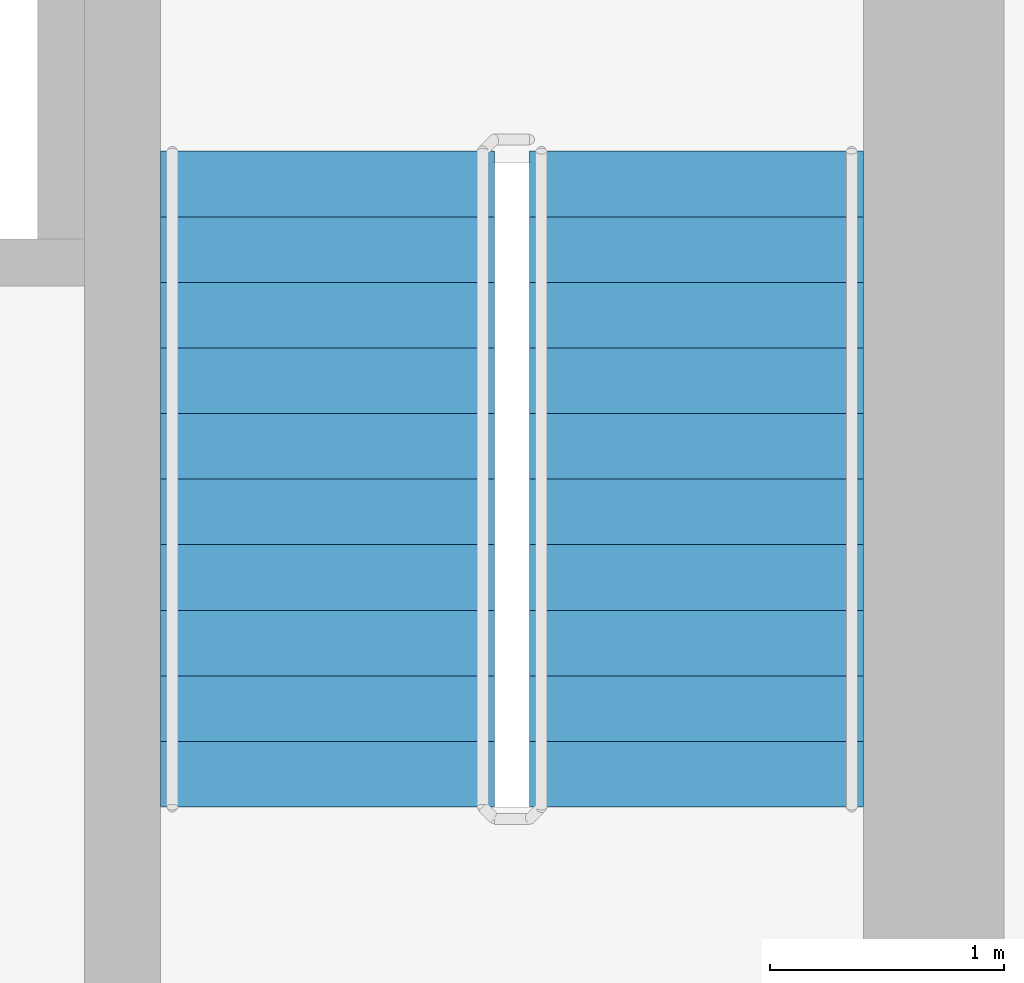
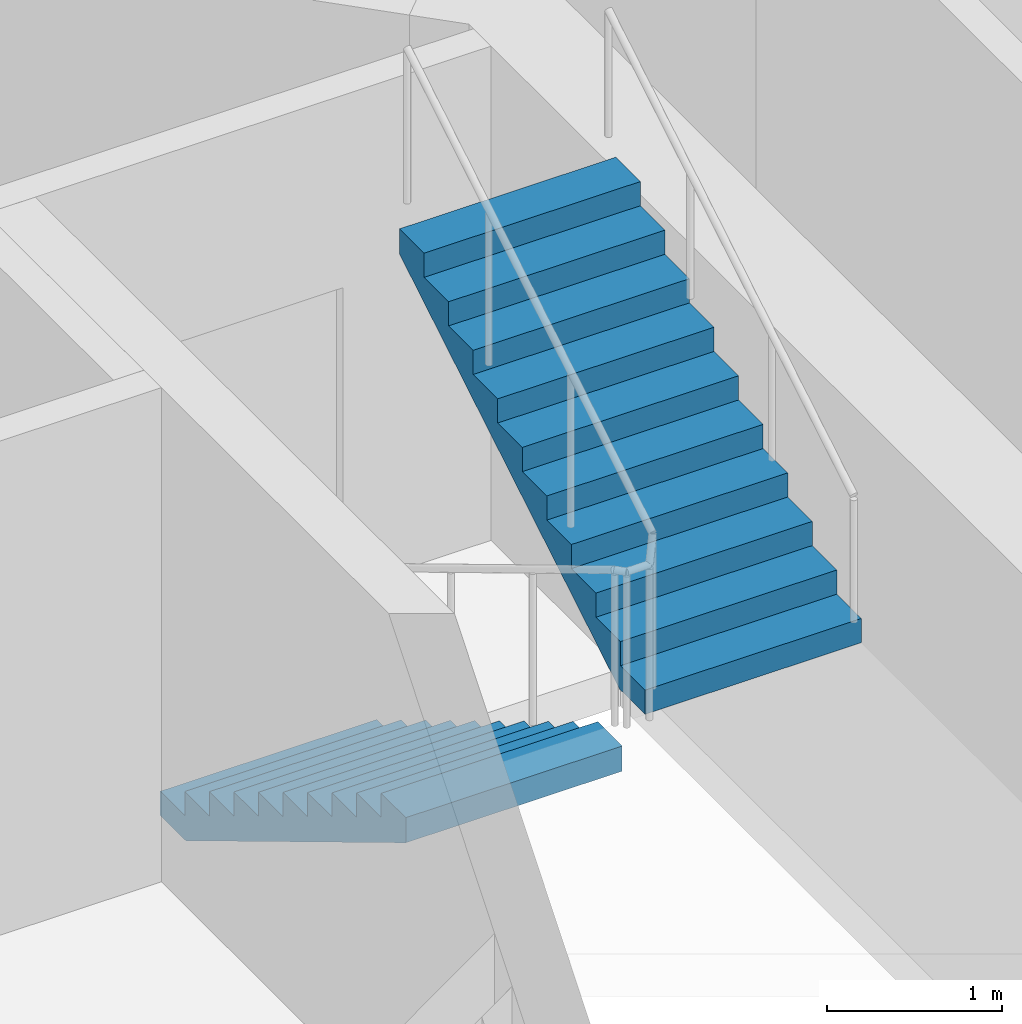
# One storey, part 20 of 23: 2 stair flights, 1 element without a shape of its own.
"""IFC4 building model written with IfcOpenShell, lengths in metres."""

from ifc_helpers import new_model, si_unit, direction, frame, origin, place, context, subcontext, project, spatial, polyline, outline, extrude, material, type_object, element, aggregate, save


model = new_model("IFC4")

# Units and contexts
model_context = context("Model", 3, precision=1e-05, world=origin(), true_north=direction((0.0, 1.0)))
body_context = subcontext(model_context, "Body", "Model", "MODEL_VIEW")
ifc_project = project(units=[si_unit("LENGTHUNIT", "METRE"), si_unit("AREAUNIT", "SQUARE_METRE"), si_unit("VOLUMEUNIT", "CUBIC_METRE"), si_unit("PLANEANGLEUNIT", "RADIAN"), si_unit("MASSUNIT", "GRAM", prefix="KILO")], contexts=[model_context])

# Site, building, storey
site_placement = place(None, origin())
site = spatial("IfcSite", under=ifc_project, at=site_placement, CompositionType="ELEMENT")
building_placement = place(site_placement, origin())
building = spatial("IfcBuilding", under=site, at=building_placement, Name="Nagisa Residences", CompositionType="ELEMENT")
storey_placement = place(building_placement, frame((0.0, 0.0, 56.60009765625)))
storey = spatial("IfcBuildingStorey", under=building, at=storey_placement, Name="L13", CompositionType="ELEMENT", Elevation=56.60009765625)

# Stair, stair flights
ifc_material_1 = material(Name="Concrete C60", Category="concrete")
stair_type = type_object("IfcStairType", Name="Exit stair", PredefinedType="HALF_TURN_STAIR", material=ifc_material_1)
stair_placement = place(storey_placement, origin())
stair = element("IfcStair", 1, at=stair_placement, inside=storey, type_object=stair_type, Name="L13 Exit stair E", PredefinedType="HALF_TURN_STAIR")
ifc_material_2 = material(Name="Concrete C60", Category="concrete")
stair_flight_type = type_object("IfcStairFlightType", Name="Exit stair flight", PredefinedType="STRAIGHT", material=ifc_material_2)
stair_flight_1_placement = place(storey_placement, frame((7.737060546875, 2.47509765625, 0.0), z_axis=(0.0, 0.0, 1.0), x_axis=(0.0, -1.0, 0.0)))
stair_flight_1 = element("IfcStairFlight", 2, at=stair_flight_1_placement, type_object=stair_flight_type, Name="ST-E flight 1", NumberOfRisers=11, NumberOfTreads=10, PredefinedType="STRAIGHT", RiserHeight=0.168181818, TreadLength=0.28, context=body_context, shape_type="SweptSolid", body=[
    extrude(outline(polyline([(0.0, 0.0), (0.0, 0.168212890625), (0.280029296875, 0.168212890625), (0.280029296875, 0.33642578125), (0.56005859375, 0.33642578125), (0.56005859375, 0.504638671875), (0.840087890625, 0.504638671875), (0.840087890625, 0.672607421875), (1.1201171875, 0.672607421875), (1.1201171875, 0.8408203125), (1.39990234375, 0.8408203125), (1.39990234375, 1.009033203125), (1.679931640625, 1.009033203125), (1.679931640625, 1.17724609375), (1.9599609375, 1.17724609375), (1.9599609375, 1.345458984375), (2.239990234375, 1.345458984375), (2.239990234375, 1.513671875), (2.52001953125, 1.513671875), (2.52001953125, 1.681884765625), (2.800048828125, 1.681884765625), (2.800048828125, 1.85009765625), (2.800048828125, 1.5068359375), (0.291015625, 0.0), (0.0, 0.0)])), frame((0.0, 0.71240234375, 0.0), z_axis=(0.0, -1.0, 0.0), x_axis=(1.0, 0.0, 0.0)), (0.0, 0.0, 1.0), 1.425048828125),
])
stair_flight_2_placement = place(storey_placement, frame((9.31201171875, -0.324951171875, 1.849853515625), z_axis=(0.0, 0.0, 1.0), x_axis=(0.0, 1.0, 0.0)))
stair_flight_2 = element("IfcStairFlight", 3, at=stair_flight_2_placement, type_object=stair_flight_type, Name="ST-E flight 2", NumberOfRisers=11, NumberOfTreads=10, PredefinedType="STRAIGHT", RiserHeight=0.168181818, TreadLength=0.28, context=body_context, shape_type="SweptSolid", body=[
    extrude(outline(polyline([(0.0, 0.0), (0.0, 0.168212890625), (0.280029296875, 0.168212890625), (0.280029296875, 0.33642578125), (0.56005859375, 0.33642578125), (0.56005859375, 0.504638671875), (0.840087890625, 0.504638671875), (0.840087890625, 0.672607421875), (1.1201171875, 0.672607421875), (1.1201171875, 0.8408203125), (1.39990234375, 0.8408203125), (1.39990234375, 1.009033203125), (1.679931640625, 1.009033203125), (1.679931640625, 1.17724609375), (1.9599609375, 1.17724609375), (1.9599609375, 1.345458984375), (2.239990234375, 1.345458984375), (2.239990234375, 1.513671875), (2.52001953125, 1.513671875), (2.52001953125, 1.681884765625), (2.800048828125, 1.681884765625), (2.800048828125, 1.85009765625), (2.800048828125, 1.5068359375), (0.291015625, 0.0), (0.0, 0.0)])), frame((0.0, 0.71240234375, 0.0), z_axis=(0.0, -1.0, 0.0), x_axis=(1.0, 0.0, 0.0)), (0.0, 0.0, 1.0), 1.425048828125),
])
aggregate(stair, [stair_flight_1, stair_flight_2])

save(model, "model.ifc")
